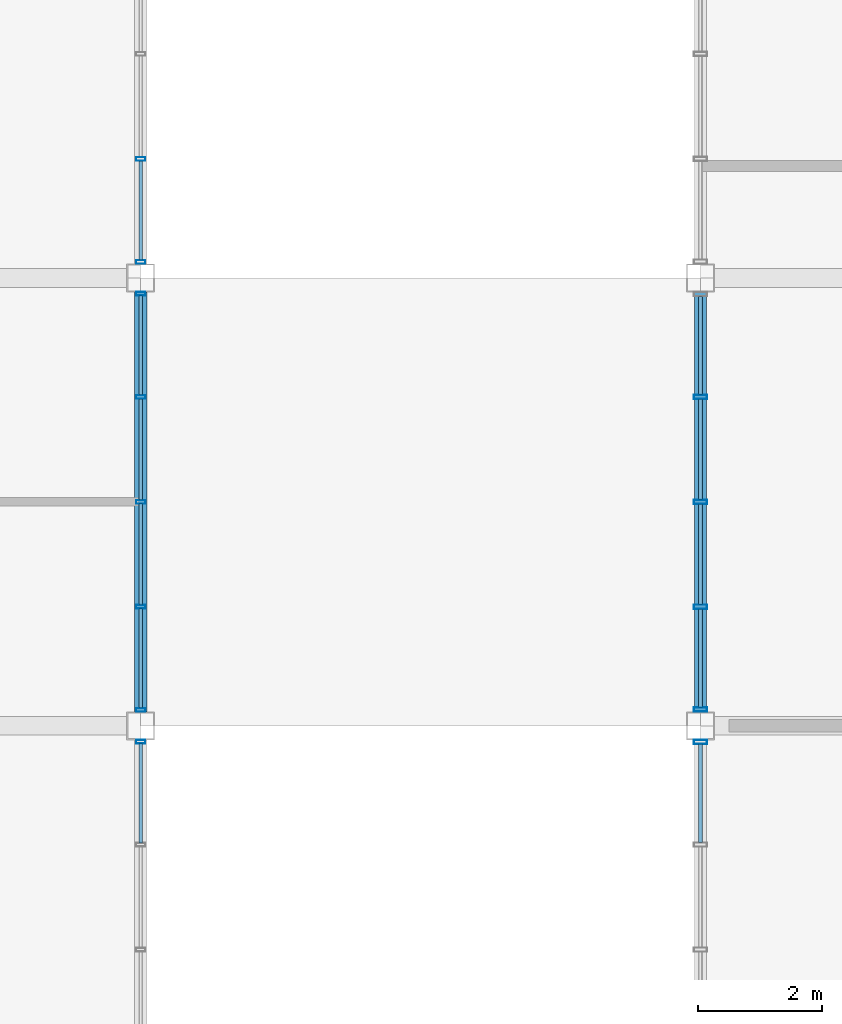
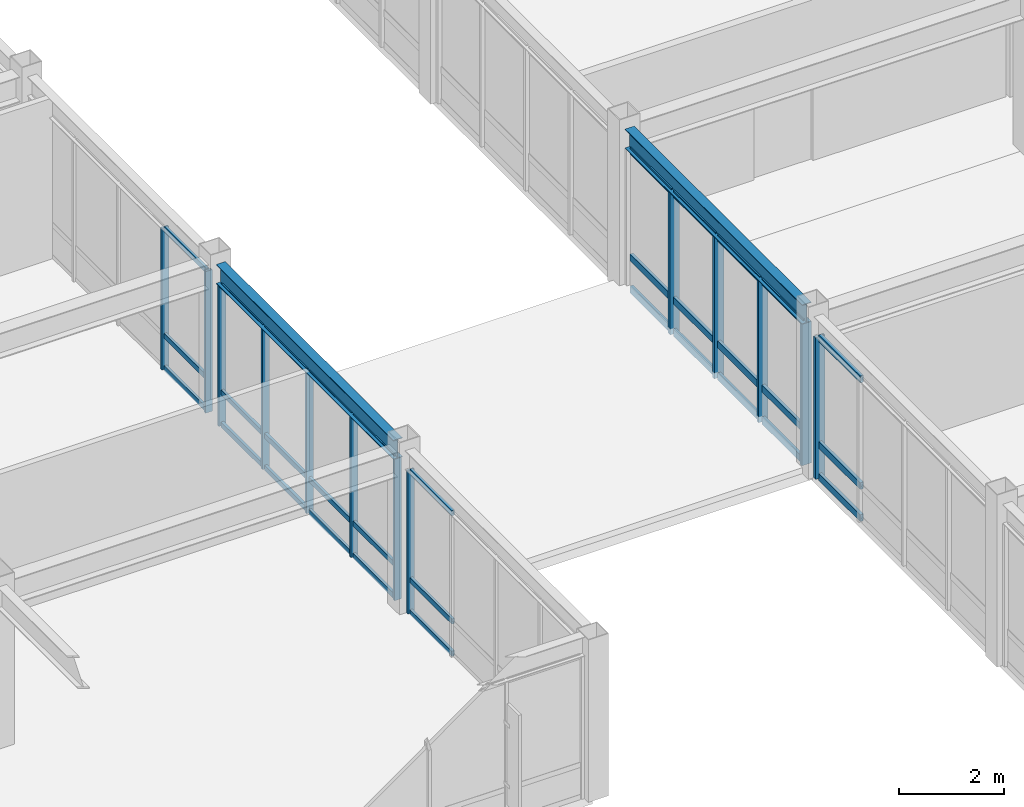
# One storey, part 56 of 113: 46 members, 2 beams, 5 elements without a shape of their own.
"""IFC4 building model written with IfcOpenShell, lengths in metres."""

from ifc_helpers import new_model, si_unit, direction, frame, origin, origin_2d, place, context, subcontext, project, spatial, hollow_rectangle, i_section, extrude, material, material_profile, profile_set, type_object, element, aggregate, save


model = new_model("IFC4")

# Units and contexts
model_context = context("Model", 3, precision=1e-05, world=origin(), true_north=direction((0.0, 1.0)))
body_context = subcontext(model_context, "Body", "Model", "MODEL_VIEW")
ifc_project = project(units=[si_unit("LENGTHUNIT", "METRE"), si_unit("AREAUNIT", "SQUARE_METRE"), si_unit("VOLUMEUNIT", "CUBIC_METRE"), si_unit("PLANEANGLEUNIT", "RADIAN"), si_unit("MASSUNIT", "GRAM", prefix="KILO")], contexts=[model_context])

# Site, building, storey
site_placement = place(None, origin())
site = spatial("IfcSite", under=ifc_project, at=site_placement, CompositionType="ELEMENT")
building_placement = place(site_placement, origin())
building = spatial("IfcBuilding", under=site, at=building_placement, Name="Kazanami Central Library", CompositionType="ELEMENT")
storey_placement = place(building_placement, frame((0.0, 0.0, 8.800048828125)))
storey = spatial("IfcBuildingStorey", under=building, at=storey_placement, Name="L03", CompositionType="ELEMENT", Elevation=8.800048828125)

# Beams
ifc_material_1 = material(Name="Steel SN490B (325 MPa)", Category="steel")
ifc_material_profile_1 = material_profile(ifc_material_1, i_section(OverallWidth=0.199951171875, OverallDepth=0.449951171875, WebThickness=0.009033203125, FlangeThickness=0.013916015625, at=origin_2d()), Name="H-450x200x9x14")
ifc_profile_set_1 = profile_set([ifc_material_profile_1], Name="Steel SN490B (325 MPa)")
beam_type = type_object("IfcBeamType", Name="BM-SP-2", PredefinedType="SPANDREL", material=ifc_profile_set_1)
for number, where, z_axis, x_axis, name in (
    (1, (36.0, 65.02294921875, 3.52001953125), (0.0, 1.0, 0.0), (-1.0, 0.0, 0.0), "Girder SP-2 L03 5/K-L"),
    (2, (45.0, 65.02294921875, 3.52001953125), (0.0, 1.0, 0.0), (-1.0, 0.0, 0.0), "Girder SP-2 L03 6/K-L"),
):
    element("IfcBeam", number, at=place(storey_placement, frame(where, z_axis=z_axis, x_axis=x_axis)), inside=storey, type_object=beam_type, Name=name, PredefinedType="SPANDREL", context=body_context, shape_type="SweptSolid", body=[
        extrude(i_section(OverallWidth=0.199951171875, OverallDepth=0.449951171875, WebThickness=0.009033203125, FlangeThickness=0.013916015625, at=origin_2d()), origin(), (0.0, 0.0, 1.0), 6.754150390625),
    ])

# Curtain wall, member
ifc_material_2 = material(Name="Acid-Etched Low-E Laminated Glass", Category="glass")
curtain_wall_type_1 = type_object("IfcCurtainWallType", Name="CW-6750x3295-M180", PredefinedType="USERDEFINED", material=ifc_material_2)
curtain_wall_1_placement = place(storey_placement, origin())
curtain_wall_1 = element("IfcCurtainWall", 3, at=curtain_wall_1_placement, inside=storey, type_object=curtain_wall_type_1, Name="Covered Link Bridge Curtain Wall CW-32 L03 W-6-08", ObjectType="UNITISED CURTAIN WALL", PredefinedType="USERDEFINED")
ifc_material_3 = material(Name="Anodised Aluminium A6063-T5", Category="aluminium")
ifc_material_profile_2 = material_profile(ifc_material_3, hollow_rectangle(XDim=0.070068359375, YDim=0.2099609375, WallThickness=0.0048828125, at=origin_2d()), Name="ALU-MULL-70x210x5")
ifc_profile_set_2 = profile_set([ifc_material_profile_2], Name="Anodised Aluminium A6063-T5")
member_type_1 = type_object("IfcMemberType", Name="MEM-CW-M1", PredefinedType="MULLION", material=ifc_profile_set_2)
member_1_placement = place(storey_placement, frame((45.0, 64.5400390625, 0.0), z_axis=(0.0, 0.0, 1.0), x_axis=(0.0, 1.0, 0.0)))
member_1 = element("IfcMember", 4, at=member_1_placement, type_object=member_type_1, Name="CW-32 mullion 5", PredefinedType="MULLION", context=body_context, shape_type="SweptSolid", body=[
    extrude(hollow_rectangle(XDim=0.070068359375, YDim=0.2099609375, WallThickness=0.0048828125, at=origin_2d()), origin(), (0.0, 0.0, 1.0), 3.294921875),
])

# Curtain wall, members
curtain_wall_2_placement = place(storey_placement, origin())
curtain_wall_2 = element("IfcCurtainWall", 5, at=curtain_wall_2_placement, inside=storey, type_object=curtain_wall_type_1, Name="Covered Link Bridge Curtain Wall CW-32 L03 W-6-09", ObjectType="UNITISED CURTAIN WALL", PredefinedType="USERDEFINED")
member_2_placement = place(storey_placement, frame((45.0, 65.06005859375, 0.0), z_axis=(0.0, 0.0, 1.0), x_axis=(0.0, 1.0, 0.0)))
member_2 = element("IfcMember", 6, at=member_2_placement, type_object=member_type_1, Name="CW-32 mullion 1", PredefinedType="MULLION", context=body_context, shape_type="SweptSolid", body=[
    extrude(hollow_rectangle(XDim=0.070068359375, YDim=0.2099609375, WallThickness=0.0048828125, at=origin_2d()), origin(), (0.0, 0.0, 1.0), 3.294921875),
])
member_3_placement = place(storey_placement, frame((45.0, 66.71240234375, 0.0), z_axis=(0.0, 0.0, 1.0), x_axis=(0.0, 1.0, 0.0)))
member_3 = element("IfcMember", 7, at=member_3_placement, type_object=member_type_1, Name="CW-32 mullion 2", PredefinedType="MULLION", context=body_context, shape_type="SweptSolid", body=[
    extrude(hollow_rectangle(XDim=0.070068359375, YDim=0.2099609375, WallThickness=0.0048828125, at=origin_2d()), origin(), (0.0, 0.0, 1.0), 3.294921875),
])
member_4_placement = place(storey_placement, frame((45.0, 68.39990234375, 0.0), z_axis=(0.0, 0.0, 1.0), x_axis=(0.0, 1.0, 0.0)))
member_4 = element("IfcMember", 8, at=member_4_placement, type_object=member_type_1, Name="CW-32 mullion 3", PredefinedType="MULLION", context=body_context, shape_type="SweptSolid", body=[
    extrude(hollow_rectangle(XDim=0.070068359375, YDim=0.2099609375, WallThickness=0.0048828125, at=origin_2d()), origin(), (0.0, 0.0, 1.0), 3.294921875),
])
member_5_placement = place(storey_placement, frame((45.0, 70.08740234375, 0.0), z_axis=(0.0, 0.0, 1.0), x_axis=(0.0, 1.0, 0.0)))
member_5 = element("IfcMember", 9, at=member_5_placement, type_object=member_type_1, Name="CW-32 mullion 4", PredefinedType="MULLION", context=body_context, shape_type="SweptSolid", body=[
    extrude(hollow_rectangle(XDim=0.070068359375, YDim=0.2099609375, WallThickness=0.0048828125, at=origin_2d()), origin(), (0.0, 0.0, 1.0), 3.294921875),
])

# Curtain wall, member
curtain_wall_type_2 = type_object("IfcCurtainWallType", Name="CW-6750x3330-M180", PredefinedType="USERDEFINED", material=ifc_material_2)
curtain_wall_3_placement = place(storey_placement, origin())
curtain_wall_3 = element("IfcCurtainWall", 10, at=curtain_wall_3_placement, inside=storey, type_object=curtain_wall_type_2, Name="Covered Link Bridge Curtain Wall CW-34 L03 E-5-08", ObjectType="UNITISED CURTAIN WALL", PredefinedType="USERDEFINED")
ifc_material_profile_3 = material_profile(ifc_material_3, hollow_rectangle(XDim=0.06005859375, YDim=0.14990234375, WallThickness=0.00390625, at=origin_2d()), Name="ALU-MULL-60x150x4")
ifc_profile_set_3 = profile_set([ifc_material_profile_3], Name="Anodised Aluminium A6063-T5")
member_type_2 = type_object("IfcMemberType", Name="MEM-CW-M3", PredefinedType="MULLION", material=ifc_profile_set_3)
member_6_placement = place(storey_placement, frame((36.0, 64.544921875, 0.0), z_axis=(0.0, 0.0, 1.0), x_axis=(0.0, -1.0, 0.0)))
member_6 = element("IfcMember", 11, at=member_6_placement, type_object=member_type_2, Name="CW-34 mullion 1", PredefinedType="MULLION", context=body_context, shape_type="SweptSolid", body=[
    extrude(hollow_rectangle(XDim=0.06005859375, YDim=0.14990234375, WallThickness=0.00390625, at=origin_2d()), origin(), (0.0, 0.0, 1.0), 3.329833984375),
])

# Curtain wall, members
curtain_wall_4_placement = place(storey_placement, origin())
curtain_wall_4 = element("IfcCurtainWall", 12, at=curtain_wall_4_placement, inside=storey, type_object=curtain_wall_type_1, Name="Covered Link Bridge Curtain Wall CW-32 L03 E-5-09", ObjectType="UNITISED CURTAIN WALL", PredefinedType="USERDEFINED")
member_7_placement = place(storey_placement, frame((36.0, 71.7451171875, 0.0), z_axis=(0.0, 0.0, 1.0), x_axis=(0.0, -1.0, 0.0)))
member_7 = element("IfcMember", 13, at=member_7_placement, type_object=member_type_2, Name="CW-32 mullion 1", PredefinedType="MULLION", context=body_context, shape_type="SweptSolid", body=[
    extrude(hollow_rectangle(XDim=0.06005859375, YDim=0.14990234375, WallThickness=0.00390625, at=origin_2d()), origin(), (0.0, 0.0, 1.0), 3.294921875),
])
member_8_placement = place(storey_placement, frame((36.0, 70.08740234375, 0.0), z_axis=(0.0, 0.0, 1.0), x_axis=(0.0, -1.0, 0.0)))
member_8 = element("IfcMember", 14, at=member_8_placement, type_object=member_type_2, Name="CW-32 mullion 2", PredefinedType="MULLION", context=body_context, shape_type="SweptSolid", body=[
    extrude(hollow_rectangle(XDim=0.06005859375, YDim=0.14990234375, WallThickness=0.00390625, at=origin_2d()), origin(), (0.0, 0.0, 1.0), 3.294921875),
])
member_9_placement = place(storey_placement, frame((36.0, 68.39990234375, 0.0), z_axis=(0.0, 0.0, 1.0), x_axis=(0.0, -1.0, 0.0)))
member_9 = element("IfcMember", 15, at=member_9_placement, type_object=member_type_2, Name="CW-32 mullion 3", PredefinedType="MULLION", context=body_context, shape_type="SweptSolid", body=[
    extrude(hollow_rectangle(XDim=0.06005859375, YDim=0.14990234375, WallThickness=0.00390625, at=origin_2d()), origin(), (0.0, 0.0, 1.0), 3.294921875),
])
member_10_placement = place(storey_placement, frame((36.0, 66.71240234375, 0.0), z_axis=(0.0, 0.0, 1.0), x_axis=(0.0, -1.0, 0.0)))
member_10 = element("IfcMember", 16, at=member_10_placement, type_object=member_type_2, Name="CW-32 mullion 4", PredefinedType="MULLION", context=body_context, shape_type="SweptSolid", body=[
    extrude(hollow_rectangle(XDim=0.06005859375, YDim=0.14990234375, WallThickness=0.00390625, at=origin_2d()), origin(), (0.0, 0.0, 1.0), 3.294921875),
])
member_11_placement = place(storey_placement, frame((36.0, 65.054931640625, 0.0), z_axis=(0.0, 0.0, 1.0), x_axis=(0.0, -1.0, 0.0)))
member_11 = element("IfcMember", 17, at=member_11_placement, type_object=member_type_2, Name="CW-32 mullion 5", PredefinedType="MULLION", context=body_context, shape_type="SweptSolid", body=[
    extrude(hollow_rectangle(XDim=0.06005859375, YDim=0.14990234375, WallThickness=0.00390625, at=origin_2d()), origin(), (0.0, 0.0, 1.0), 3.294921875),
])

curtain_wall_5_placement = place(storey_placement, origin())
curtain_wall_5 = element("IfcCurtainWall", 18, at=curtain_wall_5_placement, inside=storey, type_object=curtain_wall_type_1, Name="Covered Link Bridge Curtain Wall CW-32 L03 E-5-10", ObjectType="UNITISED CURTAIN WALL", PredefinedType="USERDEFINED")
member_12_placement = place(storey_placement, frame((36.0, 73.91259765625, 0.0), z_axis=(0.0, 0.0, 1.0), x_axis=(0.0, -1.0, 0.0)))
member_12 = element("IfcMember", 19, at=member_12_placement, type_object=member_type_2, Name="CW-32 mullion 4", PredefinedType="MULLION", context=body_context, shape_type="SweptSolid", body=[
    extrude(hollow_rectangle(XDim=0.06005859375, YDim=0.14990234375, WallThickness=0.00390625, at=origin_2d()), origin(), (0.0, 0.0, 1.0), 3.294921875),
])
member_13_placement = place(storey_placement, frame((36.0, 72.2548828125, 0.0), z_axis=(0.0, 0.0, 1.0), x_axis=(0.0, -1.0, 0.0)))
member_13 = element("IfcMember", 20, at=member_13_placement, type_object=member_type_2, Name="CW-32 mullion 5", PredefinedType="MULLION", context=body_context, shape_type="SweptSolid", body=[
    extrude(hollow_rectangle(XDim=0.06005859375, YDim=0.14990234375, WallThickness=0.00390625, at=origin_2d()), origin(), (0.0, 0.0, 1.0), 3.294921875),
])

# Member
ifc_material_profile_4 = material_profile(ifc_material_3, hollow_rectangle(XDim=0.070068359375, YDim=0.159912109375, WallThickness=0.00390625, at=origin_2d()), Name="ALU-TRAN-70x160x4")
ifc_profile_set_4 = profile_set([ifc_material_profile_4], Name="Anodised Aluminium A6063-T5")
member_type_3 = type_object("IfcMemberType", Name="MEM-CW-T1", PredefinedType="USERDEFINED", material=ifc_profile_set_4)
member_14_placement = place(storey_placement, frame((45.0, 62.922607421875, 0.034912109375), z_axis=(0.0, 1.0, 0.0), x_axis=(-1.0, 0.0, 0.0)))
member_14 = element("IfcMember", 21, at=member_14_placement, type_object=member_type_3, Name="CW-32 transom 4.1", ObjectType="TRANSOM", PredefinedType="USERDEFINED", context=body_context, shape_type="SweptSolid", body=[
    extrude(hollow_rectangle(XDim=0.070068359375, YDim=0.159912109375, WallThickness=0.00390625, at=origin_2d()), origin(), (0.0, 0.0, 1.0), 1.582275390625),
])

member_15_placement = place(storey_placement, frame((45.0, 62.922607421875, 0.780029296875), z_axis=(0.0, 1.0, 0.0), x_axis=(-1.0, 0.0, 0.0)))
member_15 = element("IfcMember", 22, at=member_15_placement, type_object=member_type_3, Name="CW-32 transom 4.2", ObjectType="TRANSOM", PredefinedType="USERDEFINED", context=body_context, shape_type="SweptSolid", body=[
    extrude(hollow_rectangle(XDim=0.070068359375, YDim=0.159912109375, WallThickness=0.00390625, at=origin_2d()), origin(), (0.0, 0.0, 1.0), 1.582275390625),
])

member_16_placement = place(storey_placement, frame((45.0, 62.922607421875, 3.260009765625), z_axis=(0.0, 1.0, 0.0), x_axis=(-1.0, 0.0, 0.0)))
member_16 = element("IfcMember", 23, at=member_16_placement, type_object=member_type_3, Name="CW-32 transom 4.3", ObjectType="TRANSOM", PredefinedType="USERDEFINED", context=body_context, shape_type="SweptSolid", body=[
    extrude(hollow_rectangle(XDim=0.070068359375, YDim=0.159912109375, WallThickness=0.00390625, at=origin_2d()), origin(), (0.0, 0.0, 1.0), 1.582275390625),
])

aggregate(curtain_wall_1, [member_1, member_14, member_15, member_16])

member_17_placement = place(storey_placement, frame((45.0, 65.094970703125, 0.034912109375), z_axis=(0.0, 1.0, 0.0), x_axis=(-1.0, 0.0, 0.0)))
member_17 = element("IfcMember", 24, at=member_17_placement, type_object=member_type_3, Name="CW-32 transom 1.1", ObjectType="TRANSOM", PredefinedType="USERDEFINED", context=body_context, shape_type="SweptSolid", body=[
    extrude(hollow_rectangle(XDim=0.070068359375, YDim=0.159912109375, WallThickness=0.00390625, at=origin_2d()), origin(), (0.0, 0.0, 1.0), 1.58251953125),
])

member_18_placement = place(storey_placement, frame((45.0, 65.094970703125, 0.780029296875), z_axis=(0.0, 1.0, 0.0), x_axis=(-1.0, 0.0, 0.0)))
member_18 = element("IfcMember", 25, at=member_18_placement, type_object=member_type_3, Name="CW-32 transom 1.2", ObjectType="TRANSOM", PredefinedType="USERDEFINED", context=body_context, shape_type="SweptSolid", body=[
    extrude(hollow_rectangle(XDim=0.070068359375, YDim=0.159912109375, WallThickness=0.00390625, at=origin_2d()), origin(), (0.0, 0.0, 1.0), 1.58251953125),
])

member_19_placement = place(storey_placement, frame((45.0, 65.094970703125, 3.260009765625), z_axis=(0.0, 1.0, 0.0), x_axis=(-1.0, 0.0, 0.0)))
member_19 = element("IfcMember", 26, at=member_19_placement, type_object=member_type_3, Name="CW-32 transom 1.3", ObjectType="TRANSOM", PredefinedType="USERDEFINED", context=body_context, shape_type="SweptSolid", body=[
    extrude(hollow_rectangle(XDim=0.070068359375, YDim=0.159912109375, WallThickness=0.00390625, at=origin_2d()), origin(), (0.0, 0.0, 1.0), 1.58251953125),
])

member_20_placement = place(storey_placement, frame((45.0, 66.74755859375, 0.034912109375), z_axis=(0.0, 1.0, 0.0), x_axis=(-1.0, 0.0, 0.0)))
member_20 = element("IfcMember", 27, at=member_20_placement, type_object=member_type_3, Name="CW-32 transom 2.1", ObjectType="TRANSOM", PredefinedType="USERDEFINED", context=body_context, shape_type="SweptSolid", body=[
    extrude(hollow_rectangle(XDim=0.070068359375, YDim=0.159912109375, WallThickness=0.00390625, at=origin_2d()), origin(), (0.0, 0.0, 1.0), 1.617431640625),
])

member_21_placement = place(storey_placement, frame((45.0, 66.74755859375, 0.780029296875), z_axis=(0.0, 1.0, 0.0), x_axis=(-1.0, 0.0, 0.0)))
member_21 = element("IfcMember", 28, at=member_21_placement, type_object=member_type_3, Name="CW-32 transom 2.2", ObjectType="TRANSOM", PredefinedType="USERDEFINED", context=body_context, shape_type="SweptSolid", body=[
    extrude(hollow_rectangle(XDim=0.070068359375, YDim=0.159912109375, WallThickness=0.00390625, at=origin_2d()), origin(), (0.0, 0.0, 1.0), 1.617431640625),
])

member_22_placement = place(storey_placement, frame((45.0, 66.74755859375, 3.260009765625), z_axis=(0.0, 1.0, 0.0), x_axis=(-1.0, 0.0, 0.0)))
member_22 = element("IfcMember", 29, at=member_22_placement, type_object=member_type_3, Name="CW-32 transom 2.3", ObjectType="TRANSOM", PredefinedType="USERDEFINED", context=body_context, shape_type="SweptSolid", body=[
    extrude(hollow_rectangle(XDim=0.070068359375, YDim=0.159912109375, WallThickness=0.00390625, at=origin_2d()), origin(), (0.0, 0.0, 1.0), 1.617431640625),
])

member_23_placement = place(storey_placement, frame((45.0, 68.43505859375, 0.034912109375), z_axis=(0.0, 1.0, 0.0), x_axis=(-1.0, 0.0, 0.0)))
member_23 = element("IfcMember", 30, at=member_23_placement, type_object=member_type_3, Name="CW-32 transom 3.1", ObjectType="TRANSOM", PredefinedType="USERDEFINED", context=body_context, shape_type="SweptSolid", body=[
    extrude(hollow_rectangle(XDim=0.070068359375, YDim=0.159912109375, WallThickness=0.00390625, at=origin_2d()), origin(), (0.0, 0.0, 1.0), 1.617431640625),
])

member_24_placement = place(storey_placement, frame((45.0, 68.43505859375, 0.780029296875), z_axis=(0.0, 1.0, 0.0), x_axis=(-1.0, 0.0, 0.0)))
member_24 = element("IfcMember", 31, at=member_24_placement, type_object=member_type_3, Name="CW-32 transom 3.2", ObjectType="TRANSOM", PredefinedType="USERDEFINED", context=body_context, shape_type="SweptSolid", body=[
    extrude(hollow_rectangle(XDim=0.070068359375, YDim=0.159912109375, WallThickness=0.00390625, at=origin_2d()), origin(), (0.0, 0.0, 1.0), 1.617431640625),
])

member_25_placement = place(storey_placement, frame((45.0, 68.43505859375, 3.260009765625), z_axis=(0.0, 1.0, 0.0), x_axis=(-1.0, 0.0, 0.0)))
member_25 = element("IfcMember", 32, at=member_25_placement, type_object=member_type_3, Name="CW-32 transom 3.3", ObjectType="TRANSOM", PredefinedType="USERDEFINED", context=body_context, shape_type="SweptSolid", body=[
    extrude(hollow_rectangle(XDim=0.070068359375, YDim=0.159912109375, WallThickness=0.00390625, at=origin_2d()), origin(), (0.0, 0.0, 1.0), 1.617431640625),
])

member_26_placement = place(storey_placement, frame((45.0, 70.12255859375, 0.034912109375), z_axis=(0.0, 1.0, 0.0), x_axis=(-1.0, 0.0, 0.0)))
member_26 = element("IfcMember", 33, at=member_26_placement, type_object=member_type_3, Name="CW-32 transom 4.1", ObjectType="TRANSOM", PredefinedType="USERDEFINED", context=body_context, shape_type="SweptSolid", body=[
    extrude(hollow_rectangle(XDim=0.070068359375, YDim=0.159912109375, WallThickness=0.00390625, at=origin_2d()), origin(), (0.0, 0.0, 1.0), 1.58251953125),
])

member_27_placement = place(storey_placement, frame((45.0, 70.12255859375, 0.780029296875), z_axis=(0.0, 1.0, 0.0), x_axis=(-1.0, 0.0, 0.0)))
member_27 = element("IfcMember", 34, at=member_27_placement, type_object=member_type_3, Name="CW-32 transom 4.2", ObjectType="TRANSOM", PredefinedType="USERDEFINED", context=body_context, shape_type="SweptSolid", body=[
    extrude(hollow_rectangle(XDim=0.070068359375, YDim=0.159912109375, WallThickness=0.00390625, at=origin_2d()), origin(), (0.0, 0.0, 1.0), 1.58251953125),
])

member_28_placement = place(storey_placement, frame((45.0, 70.12255859375, 3.260009765625), z_axis=(0.0, 1.0, 0.0), x_axis=(-1.0, 0.0, 0.0)))
member_28 = element("IfcMember", 35, at=member_28_placement, type_object=member_type_3, Name="CW-32 transom 4.3", ObjectType="TRANSOM", PredefinedType="USERDEFINED", context=body_context, shape_type="SweptSolid", body=[
    extrude(hollow_rectangle(XDim=0.070068359375, YDim=0.159912109375, WallThickness=0.00390625, at=origin_2d()), origin(), (0.0, 0.0, 1.0), 1.58251953125),
])

aggregate(curtain_wall_2, [member_2, member_3, member_4, member_5, member_17, member_18, member_19, member_20, member_21, member_22, member_23, member_24, member_25, member_26, member_27, member_28])

ifc_material_profile_5 = material_profile(ifc_material_3, hollow_rectangle(XDim=0.06005859375, YDim=0.1201171875, WallThickness=0.00341796875, at=origin_2d()), Name="ALU-TRAN-60x120x3.5")
ifc_profile_set_5 = profile_set([ifc_material_profile_5], Name="Anodised Aluminium A6063-T5")
member_type_4 = type_object("IfcMemberType", Name="MEM-CW-T3", PredefinedType="USERDEFINED", material=ifc_profile_set_5)
member_29_placement = place(storey_placement, frame((36.0, 64.514892578125, 0.030029296875), z_axis=(0.0, -1.0, 0.0), x_axis=(1.0, 0.0, 0.0)))
member_29 = element("IfcMember", 36, at=member_29_placement, type_object=member_type_4, Name="CW-34 transom 1.1", ObjectType="TRANSOM", PredefinedType="USERDEFINED", context=body_context, shape_type="SweptSolid", body=[
    extrude(hollow_rectangle(XDim=0.06005859375, YDim=0.1201171875, WallThickness=0.00341796875, at=origin_2d()), origin(), (0.0, 0.0, 1.0), 1.597412109375),
])

member_30_placement = place(storey_placement, frame((36.0, 64.514892578125, 0.780029296875), z_axis=(0.0, -1.0, 0.0), x_axis=(1.0, 0.0, 0.0)))
member_30 = element("IfcMember", 37, at=member_30_placement, type_object=member_type_4, Name="CW-34 transom 1.2", ObjectType="TRANSOM", PredefinedType="USERDEFINED", context=body_context, shape_type="SweptSolid", body=[
    extrude(hollow_rectangle(XDim=0.06005859375, YDim=0.1201171875, WallThickness=0.00341796875, at=origin_2d()), origin(), (0.0, 0.0, 1.0), 1.597412109375),
])

member_31_placement = place(storey_placement, frame((36.0, 64.514892578125, 3.300048828125), z_axis=(0.0, -1.0, 0.0), x_axis=(1.0, 0.0, 0.0)))
member_31 = element("IfcMember", 38, at=member_31_placement, type_object=member_type_4, Name="CW-34 transom 1.3", ObjectType="TRANSOM", PredefinedType="USERDEFINED", context=body_context, shape_type="SweptSolid", body=[
    extrude(hollow_rectangle(XDim=0.06005859375, YDim=0.1201171875, WallThickness=0.00341796875, at=origin_2d()), origin(), (0.0, 0.0, 1.0), 1.597412109375),
])

aggregate(curtain_wall_3, [member_6, member_29, member_30, member_31])

member_32_placement = place(storey_placement, frame((36.0, 71.715087890625, 0.030029296875), z_axis=(0.0, -1.0, 0.0), x_axis=(1.0, 0.0, 0.0)))
member_32 = element("IfcMember", 39, at=member_32_placement, type_object=member_type_4, Name="CW-32 transom 1.1", ObjectType="TRANSOM", PredefinedType="USERDEFINED", context=body_context, shape_type="SweptSolid", body=[
    extrude(hollow_rectangle(XDim=0.06005859375, YDim=0.1201171875, WallThickness=0.00341796875, at=origin_2d()), origin(), (0.0, 0.0, 1.0), 1.59765625),
])

member_33_placement = place(storey_placement, frame((36.0, 71.715087890625, 0.780029296875), z_axis=(0.0, -1.0, 0.0), x_axis=(1.0, 0.0, 0.0)))
member_33 = element("IfcMember", 40, at=member_33_placement, type_object=member_type_4, Name="CW-32 transom 1.2", ObjectType="TRANSOM", PredefinedType="USERDEFINED", context=body_context, shape_type="SweptSolid", body=[
    extrude(hollow_rectangle(XDim=0.06005859375, YDim=0.1201171875, WallThickness=0.00341796875, at=origin_2d()), origin(), (0.0, 0.0, 1.0), 1.59765625),
])

member_34_placement = place(storey_placement, frame((36.0, 71.715087890625, 3.264892578125), z_axis=(0.0, -1.0, 0.0), x_axis=(1.0, 0.0, 0.0)))
member_34 = element("IfcMember", 41, at=member_34_placement, type_object=member_type_4, Name="CW-32 transom 1.3", ObjectType="TRANSOM", PredefinedType="USERDEFINED", context=body_context, shape_type="SweptSolid", body=[
    extrude(hollow_rectangle(XDim=0.06005859375, YDim=0.1201171875, WallThickness=0.00341796875, at=origin_2d()), origin(), (0.0, 0.0, 1.0), 1.59765625),
])

member_35_placement = place(storey_placement, frame((36.0, 70.0576171875, 0.030029296875), z_axis=(0.0, -1.0, 0.0), x_axis=(1.0, 0.0, 0.0)))
member_35 = element("IfcMember", 42, at=member_35_placement, type_object=member_type_4, Name="CW-32 transom 2.1", ObjectType="TRANSOM", PredefinedType="USERDEFINED", context=body_context, shape_type="SweptSolid", body=[
    extrude(hollow_rectangle(XDim=0.06005859375, YDim=0.1201171875, WallThickness=0.00341796875, at=origin_2d()), origin(), (0.0, 0.0, 1.0), 1.627685546875),
])

member_36_placement = place(storey_placement, frame((36.0, 70.0576171875, 0.780029296875), z_axis=(0.0, -1.0, 0.0), x_axis=(1.0, 0.0, 0.0)))
member_36 = element("IfcMember", 43, at=member_36_placement, type_object=member_type_4, Name="CW-32 transom 2.2", ObjectType="TRANSOM", PredefinedType="USERDEFINED", context=body_context, shape_type="SweptSolid", body=[
    extrude(hollow_rectangle(XDim=0.06005859375, YDim=0.1201171875, WallThickness=0.00341796875, at=origin_2d()), origin(), (0.0, 0.0, 1.0), 1.627685546875),
])

member_37_placement = place(storey_placement, frame((36.0, 70.0576171875, 3.264892578125), z_axis=(0.0, -1.0, 0.0), x_axis=(1.0, 0.0, 0.0)))
member_37 = element("IfcMember", 44, at=member_37_placement, type_object=member_type_4, Name="CW-32 transom 2.3", ObjectType="TRANSOM", PredefinedType="USERDEFINED", context=body_context, shape_type="SweptSolid", body=[
    extrude(hollow_rectangle(XDim=0.06005859375, YDim=0.1201171875, WallThickness=0.00341796875, at=origin_2d()), origin(), (0.0, 0.0, 1.0), 1.627685546875),
])

member_38_placement = place(storey_placement, frame((36.0, 68.3701171875, 0.030029296875), z_axis=(0.0, -1.0, 0.0), x_axis=(1.0, 0.0, 0.0)))
member_38 = element("IfcMember", 45, at=member_38_placement, type_object=member_type_4, Name="CW-32 transom 3.1", ObjectType="TRANSOM", PredefinedType="USERDEFINED", context=body_context, shape_type="SweptSolid", body=[
    extrude(hollow_rectangle(XDim=0.06005859375, YDim=0.1201171875, WallThickness=0.00341796875, at=origin_2d()), origin(), (0.0, 0.0, 1.0), 1.627685546875),
])

member_39_placement = place(storey_placement, frame((36.0, 68.3701171875, 0.780029296875), z_axis=(0.0, -1.0, 0.0), x_axis=(1.0, 0.0, 0.0)))
member_39 = element("IfcMember", 46, at=member_39_placement, type_object=member_type_4, Name="CW-32 transom 3.2", ObjectType="TRANSOM", PredefinedType="USERDEFINED", context=body_context, shape_type="SweptSolid", body=[
    extrude(hollow_rectangle(XDim=0.06005859375, YDim=0.1201171875, WallThickness=0.00341796875, at=origin_2d()), origin(), (0.0, 0.0, 1.0), 1.627685546875),
])

member_40_placement = place(storey_placement, frame((36.0, 68.3701171875, 3.264892578125), z_axis=(0.0, -1.0, 0.0), x_axis=(1.0, 0.0, 0.0)))
member_40 = element("IfcMember", 47, at=member_40_placement, type_object=member_type_4, Name="CW-32 transom 3.3", ObjectType="TRANSOM", PredefinedType="USERDEFINED", context=body_context, shape_type="SweptSolid", body=[
    extrude(hollow_rectangle(XDim=0.06005859375, YDim=0.1201171875, WallThickness=0.00341796875, at=origin_2d()), origin(), (0.0, 0.0, 1.0), 1.627685546875),
])

member_41_placement = place(storey_placement, frame((36.0, 66.6826171875, 0.030029296875), z_axis=(0.0, -1.0, 0.0), x_axis=(1.0, 0.0, 0.0)))
member_41 = element("IfcMember", 48, at=member_41_placement, type_object=member_type_4, Name="CW-32 transom 4.1", ObjectType="TRANSOM", PredefinedType="USERDEFINED", context=body_context, shape_type="SweptSolid", body=[
    extrude(hollow_rectangle(XDim=0.06005859375, YDim=0.1201171875, WallThickness=0.00341796875, at=origin_2d()), origin(), (0.0, 0.0, 1.0), 1.59765625),
])

member_42_placement = place(storey_placement, frame((36.0, 66.6826171875, 0.780029296875), z_axis=(0.0, -1.0, 0.0), x_axis=(1.0, 0.0, 0.0)))
member_42 = element("IfcMember", 49, at=member_42_placement, type_object=member_type_4, Name="CW-32 transom 4.2", ObjectType="TRANSOM", PredefinedType="USERDEFINED", context=body_context, shape_type="SweptSolid", body=[
    extrude(hollow_rectangle(XDim=0.06005859375, YDim=0.1201171875, WallThickness=0.00341796875, at=origin_2d()), origin(), (0.0, 0.0, 1.0), 1.59765625),
])

member_43_placement = place(storey_placement, frame((36.0, 66.6826171875, 3.264892578125), z_axis=(0.0, -1.0, 0.0), x_axis=(1.0, 0.0, 0.0)))
member_43 = element("IfcMember", 50, at=member_43_placement, type_object=member_type_4, Name="CW-32 transom 4.3", ObjectType="TRANSOM", PredefinedType="USERDEFINED", context=body_context, shape_type="SweptSolid", body=[
    extrude(hollow_rectangle(XDim=0.06005859375, YDim=0.1201171875, WallThickness=0.00341796875, at=origin_2d()), origin(), (0.0, 0.0, 1.0), 1.59765625),
])

aggregate(curtain_wall_4, [member_7, member_8, member_9, member_10, member_11, member_32, member_33, member_34, member_35, member_36, member_37, member_38, member_39, member_40, member_41, member_42, member_43])

member_44_placement = place(storey_placement, frame((36.0, 73.882568359375, 0.030029296875), z_axis=(0.0, -1.0, 0.0), x_axis=(1.0, 0.0, 0.0)))
member_44 = element("IfcMember", 51, at=member_44_placement, type_object=member_type_4, Name="CW-32 transom 4.1", ObjectType="TRANSOM", PredefinedType="USERDEFINED", context=body_context, shape_type="SweptSolid", body=[
    extrude(hollow_rectangle(XDim=0.06005859375, YDim=0.1201171875, WallThickness=0.00341796875, at=origin_2d()), origin(), (0.0, 0.0, 1.0), 1.59765625),
])

member_45_placement = place(storey_placement, frame((36.0, 73.882568359375, 0.780029296875), z_axis=(0.0, -1.0, 0.0), x_axis=(1.0, 0.0, 0.0)))
member_45 = element("IfcMember", 52, at=member_45_placement, type_object=member_type_4, Name="CW-32 transom 4.2", ObjectType="TRANSOM", PredefinedType="USERDEFINED", context=body_context, shape_type="SweptSolid", body=[
    extrude(hollow_rectangle(XDim=0.06005859375, YDim=0.1201171875, WallThickness=0.00341796875, at=origin_2d()), origin(), (0.0, 0.0, 1.0), 1.59765625),
])

member_46_placement = place(storey_placement, frame((36.0, 73.882568359375, 3.264892578125), z_axis=(0.0, -1.0, 0.0), x_axis=(1.0, 0.0, 0.0)))
member_46 = element("IfcMember", 53, at=member_46_placement, type_object=member_type_4, Name="CW-32 transom 4.3", ObjectType="TRANSOM", PredefinedType="USERDEFINED", context=body_context, shape_type="SweptSolid", body=[
    extrude(hollow_rectangle(XDim=0.06005859375, YDim=0.1201171875, WallThickness=0.00341796875, at=origin_2d()), origin(), (0.0, 0.0, 1.0), 1.59765625),
])

aggregate(curtain_wall_5, [member_12, member_13, member_44, member_45, member_46])

save(model, "model.ifc")
